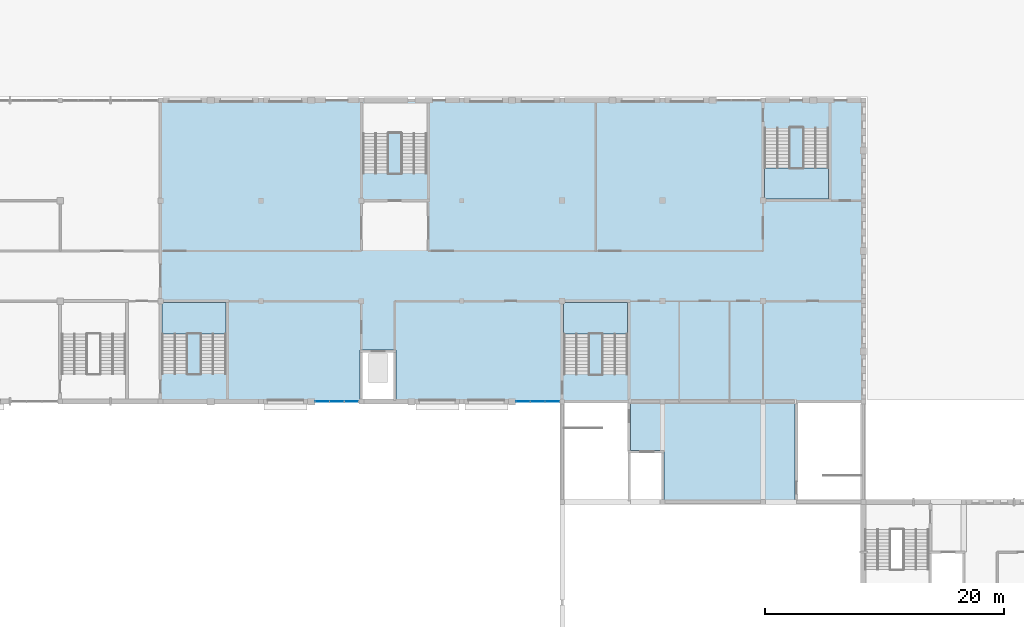
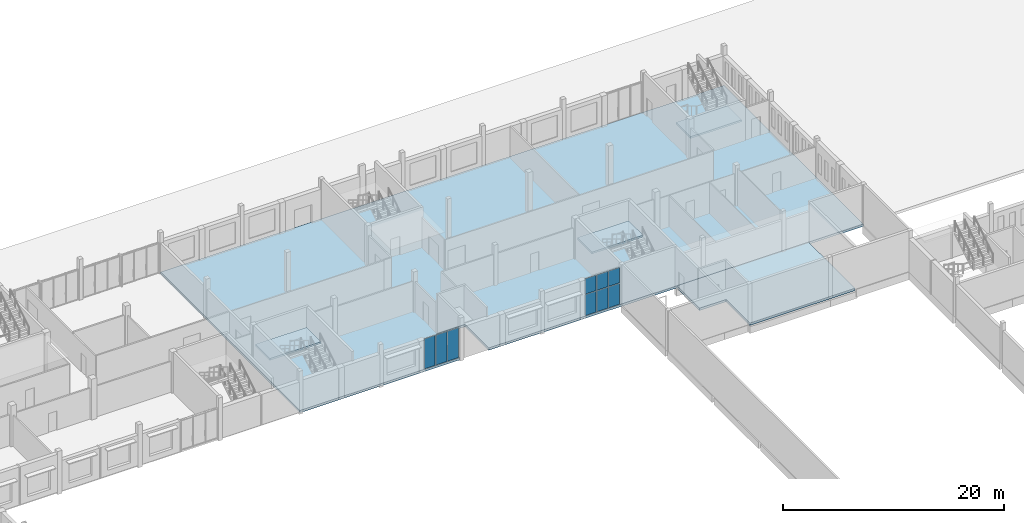
# One storey, part 66 of 101: 9 plates, 5 slabs, 5 elements without a shape of their own.
"""IFC4 building model written with IfcOpenShell, lengths in metres."""

from ifc_helpers import new_model, si_unit, direction, frame, origin, origin_2d, place, context, subcontext, project, spatial, polyline, rectangle, outline, extrude, material, layer, layer_set, type_object, element, aggregate, save


model = new_model("IFC4")

# Units and contexts
model_context = context("Model", 3, precision=1e-05, world=origin(), true_north=direction((0.0, 1.0)))
body_context = subcontext(model_context, "Body", "Model", "MODEL_VIEW")
ifc_project = project(units=[si_unit("LENGTHUNIT", "METRE"), si_unit("AREAUNIT", "SQUARE_METRE"), si_unit("VOLUMEUNIT", "CUBIC_METRE"), si_unit("PLANEANGLEUNIT", "RADIAN"), si_unit("MASSUNIT", "GRAM", prefix="KILO")], contexts=[model_context])

# Site, building, storey
site_placement = place(None, origin())
site = spatial("IfcSite", under=ifc_project, at=site_placement, CompositionType="ELEMENT")
building_placement = place(site_placement, origin())
building = spatial("IfcBuilding", under=site, at=building_placement, Name="Fescue Hill Polytechnic", CompositionType="ELEMENT")
storey_placement = place(building_placement, frame((0.0, 0.0, 9.0)))
storey = spatial("IfcBuildingStorey", under=building, at=storey_placement, Name="L02", CompositionType="ELEMENT", Elevation=9.0)

# Slabs
ifc_material_1 = material(Name="Concrete 35 MPa", Category="concrete")
ifc_layer_1 = layer(ifc_material_1, 0.25)
ifc_layer_set_1 = layer_set([ifc_layer_1], Name="Concrete 35 MPa")
slab_type_1 = type_object("IfcSlabType", Name="Base slab 250", PredefinedType="BASESLAB", material=ifc_layer_set_1)
slab_1_placement = place(storey_placement, frame((0.0, 0.0, -0.25)))
element("IfcSlab", 1, at=slab_1_placement, inside=storey, type_object=slab_type_1, Name="SL-L02-V4b-1", PredefinedType="BASESLAB", context=body_context, shape_type="SweptSolid", body=[
    extrude(outline(polyline([(58.800048828125, 109.199951171875), (58.800048828125, 134.39990234375), (117.60009765625, 134.39990234375), (117.60009765625, 109.199951171875), (78.5, 109.199951171875), (78.5, 113.5), (75.5, 113.5), (75.5, 109.199951171875), (58.800048828125, 109.199951171875)])), origin(), (0.0, 0.0, 1.0), 0.25),
])
ifc_layer_2 = layer(ifc_material_1, 0.25)
ifc_layer_set_2 = layer_set([ifc_layer_2], Name="Concrete 35 MPa")
slab_type_2 = type_object("IfcSlabType", Name="Floor slab 250", PredefinedType="FLOOR", material=ifc_layer_set_2)
slab_2_placement = place(storey_placement, frame((0.0, 0.0, -0.25)))
element("IfcSlab", 2, at=slab_2_placement, inside=storey, type_object=slab_type_2, Name="SL-L02-V6-1", PredefinedType="FLOOR", context=body_context, shape_type="SweptSolid", body=[
    extrude(outline(polyline([(111.875, 109.199951171875), (111.875, 100.800048828125), (100.89990234375, 100.800048828125), (100.89990234375, 105.10009765625), (98.125, 105.10009765625), (98.125, 109.199951171875), (111.875, 109.199951171875)])), origin(), (0.0, 0.0, 1.0), 0.25),
])

# Curtain wall, plates
ifc_material_2 = material(Name="Glass", Category="glass")
curtain_wall_type = type_object("IfcCurtainWallType", Name="Curtain wall structural glazing", PredefinedType="NOTDEFINED", material=ifc_material_2)
curtain_wall_1_placement = place(storey_placement, origin())
curtain_wall_1 = element("IfcCurtainWall", 3, at=curtain_wall_1_placement, inside=storey, type_object=curtain_wall_type, Name="CW-L02-V4b-X2", PredefinedType="NOTDEFINED")
ifc_layer_3 = layer(ifc_material_2, 0.028076171875)
ifc_layer_set_3 = layer_set([ifc_layer_3], Name="Glass")
plate_type = type_object("IfcPlateType", Name="Panel glazing 28", PredefinedType="CURTAIN_PANEL", material=ifc_layer_set_3)
plate_1_placement = place(storey_placement, frame((89.131591796875, 109.199951171875, 0.06005859375), z_axis=(0.0, 0.0, 1.0), x_axis=(1.0, 0.0, 0.0)))
plate_1 = element("IfcPlate", 4, at=plate_1_placement, type_object=plate_type, Name="CW170 panel 1.1", PredefinedType="CURTAIN_PANEL", context=body_context, shape_type="SweptSolid", body=[
    extrude(rectangle(XDim=1.143310546875, YDim=0.028076171875, at=origin_2d()), origin(), (0.0, 0.0, 1.0), 2.31005859375),
])
plate_2_placement = place(storey_placement, frame((89.131591796875, 109.199951171875, 2.429931640625), z_axis=(0.0, 0.0, 1.0), x_axis=(1.0, 0.0, 0.0)))
plate_2 = element("IfcPlate", 5, at=plate_2_placement, type_object=plate_type, Name="CW170 panel 1.2", PredefinedType="CURTAIN_PANEL", context=body_context, shape_type="SweptSolid", body=[
    extrude(rectangle(XDim=1.143310546875, YDim=0.028076171875, at=origin_2d()), origin(), (0.0, 0.0, 1.0), 1.68994140625),
])
plate_3_placement = place(storey_placement, frame((90.35009765625, 109.199951171875, 0.06005859375), z_axis=(0.0, 0.0, 1.0), x_axis=(1.0, 0.0, 0.0)))
plate_3 = element("IfcPlate", 6, at=plate_3_placement, type_object=plate_type, Name="CW170 panel 2.1", PredefinedType="CURTAIN_PANEL", context=body_context, shape_type="SweptSolid", body=[
    extrude(rectangle(XDim=1.17333984375, YDim=0.028076171875, at=origin_2d()), origin(), (0.0, 0.0, 1.0), 2.31005859375),
])
plate_4_placement = place(storey_placement, frame((90.35009765625, 109.199951171875, 2.429931640625), z_axis=(0.0, 0.0, 1.0), x_axis=(1.0, 0.0, 0.0)))
plate_4 = element("IfcPlate", 7, at=plate_4_placement, type_object=plate_type, Name="CW170 panel 2.2", PredefinedType="CURTAIN_PANEL", context=body_context, shape_type="SweptSolid", body=[
    extrude(rectangle(XDim=1.17333984375, YDim=0.028076171875, at=origin_2d()), origin(), (0.0, 0.0, 1.0), 1.68994140625),
])
plate_5_placement = place(storey_placement, frame((91.568359375, 109.199951171875, 0.06005859375), z_axis=(0.0, 0.0, 1.0), x_axis=(1.0, 0.0, 0.0)))
plate_5 = element("IfcPlate", 8, at=plate_5_placement, type_object=plate_type, Name="CW170 panel 3.1", PredefinedType="CURTAIN_PANEL", context=body_context, shape_type="SweptSolid", body=[
    extrude(rectangle(XDim=1.143310546875, YDim=0.028076171875, at=origin_2d()), origin(), (0.0, 0.0, 1.0), 2.31005859375),
])
plate_6_placement = place(storey_placement, frame((91.568359375, 109.199951171875, 2.429931640625), z_axis=(0.0, 0.0, 1.0), x_axis=(1.0, 0.0, 0.0)))
plate_6 = element("IfcPlate", 9, at=plate_6_placement, type_object=plate_type, Name="CW170 panel 3.2", PredefinedType="CURTAIN_PANEL", context=body_context, shape_type="SweptSolid", body=[
    extrude(rectangle(XDim=1.143310546875, YDim=0.028076171875, at=origin_2d()), origin(), (0.0, 0.0, 1.0), 1.68994140625),
])
aggregate(curtain_wall_1, [plate_1, plate_2, plate_3, plate_4, plate_5, plate_6])

curtain_wall_2_placement = place(storey_placement, origin())
curtain_wall_2 = element("IfcCurtainWall", 10, at=curtain_wall_2_placement, inside=storey, type_object=curtain_wall_type, Name="CW-L02-V4b-X3", PredefinedType="NOTDEFINED")
plate_7_placement = place(storey_placement, frame((72.331787109375, 109.199951171875, 0.06005859375), z_axis=(0.0, 0.0, 1.0), x_axis=(1.0, 0.0, 0.0)))
plate_7 = element("IfcPlate", 11, at=plate_7_placement, type_object=plate_type, Name="CW176 panel 1.1", PredefinedType="CURTAIN_PANEL", context=body_context, shape_type="SweptSolid", body=[
    extrude(rectangle(XDim=1.143310546875, YDim=0.028076171875, at=origin_2d()), origin(), (0.0, 0.0, 1.0), 3.31005859375),
])
plate_8_placement = place(storey_placement, frame((73.550048828125, 109.199951171875, 0.06005859375), z_axis=(0.0, 0.0, 1.0), x_axis=(1.0, 0.0, 0.0)))
plate_8 = element("IfcPlate", 12, at=plate_8_placement, type_object=plate_type, Name="CW176 panel 2.1", PredefinedType="CURTAIN_PANEL", context=body_context, shape_type="SweptSolid", body=[
    extrude(rectangle(XDim=1.17333984375, YDim=0.028076171875, at=origin_2d()), origin(), (0.0, 0.0, 1.0), 3.31005859375),
])
plate_9_placement = place(storey_placement, frame((74.768310546875, 109.199951171875, 0.06005859375), z_axis=(0.0, 0.0, 1.0), x_axis=(1.0, 0.0, 0.0)))
plate_9 = element("IfcPlate", 13, at=plate_9_placement, type_object=plate_type, Name="CW176 panel 3.1", PredefinedType="CURTAIN_PANEL", context=body_context, shape_type="SweptSolid", body=[
    extrude(rectangle(XDim=1.143310546875, YDim=0.028076171875, at=origin_2d()), origin(), (0.0, 0.0, 1.0), 3.31005859375),
])
aggregate(curtain_wall_2, [plate_7, plate_8, plate_9])

# Stair, slab
stair_type = type_object("IfcStairType", Name="Half-turn stair 2150 flights", PredefinedType="HALF_TURN_STAIR", material=ifc_material_1)
stair_1_placement = place(storey_placement, origin())
stair_1 = element("IfcStair", 14, at=stair_1_placement, inside=storey, type_object=stair_type, Name="L02 ST-V4b-1 stair", PredefinedType="HALF_TURN_STAIR")
ifc_layer_4 = layer(ifc_material_1, 0.199951171875)
ifc_layer_set_4 = layer_set([ifc_layer_4], Name="Concrete 35 MPa")
slab_type_3 = type_object("IfcSlabType", Name="Stair landing slab 200", PredefinedType="LANDING", material=ifc_layer_set_4)
slab_3_placement = place(storey_placement, frame((0.0, 0.0, 2.050048828125)))
slab_3 = element("IfcSlab", 15, at=slab_3_placement, type_object=slab_type_3, Name="S22 landing 1", PredefinedType="LANDING", context=body_context, shape_type="SweptSolid", body=[
    extrude(outline(polyline([(58.925048828125, 114.860107421875), (64.27490234375, 114.860107421875), (64.27490234375, 117.47509765625), (58.925048828125, 117.47509765625), (58.925048828125, 114.860107421875)])), origin(), (0.0, 0.0, 1.0), 0.199951171875),
])
aggregate(stair_1, [slab_3])

stair_2_placement = place(storey_placement, origin())
stair_2 = element("IfcStair", 16, at=stair_2_placement, inside=storey, type_object=stair_type, Name="L02 ST-V4b-2 stair", PredefinedType="HALF_TURN_STAIR")
slab_4_placement = place(storey_placement, frame((0.0, 0.0, 2.050048828125)))
slab_4 = element("IfcSlab", 17, at=slab_4_placement, type_object=slab_type_3, Name="S23 landing 1", PredefinedType="LANDING", context=body_context, shape_type="SweptSolid", body=[
    extrude(outline(polyline([(109.324951171875, 126.125), (114.675048828125, 126.125), (114.675048828125, 128.739990234375), (109.324951171875, 128.739990234375), (109.324951171875, 126.125)])), origin(), (0.0, 0.0, 1.0), 0.199951171875),
])
aggregate(stair_2, [slab_4])

stair_3_placement = place(storey_placement, origin())
stair_3 = element("IfcStair", 18, at=stair_3_placement, inside=storey, type_object=stair_type, Name="L02 ST-V4b-3 stair", PredefinedType="HALF_TURN_STAIR")
slab_5_placement = place(storey_placement, frame((0.0, 0.0, 2.050048828125)))
slab_5 = element("IfcSlab", 19, at=slab_5_placement, type_object=slab_type_3, Name="S24 landing 1", PredefinedType="LANDING", context=body_context, shape_type="SweptSolid", body=[
    extrude(outline(polyline([(92.52490234375, 114.8349609375), (97.875, 114.8349609375), (97.875, 117.47509765625), (92.52490234375, 117.47509765625), (92.52490234375, 114.8349609375)])), origin(), (0.0, 0.0, 1.0), 0.199951171875),
])
aggregate(stair_3, [slab_5])

save(model, "model.ifc")
